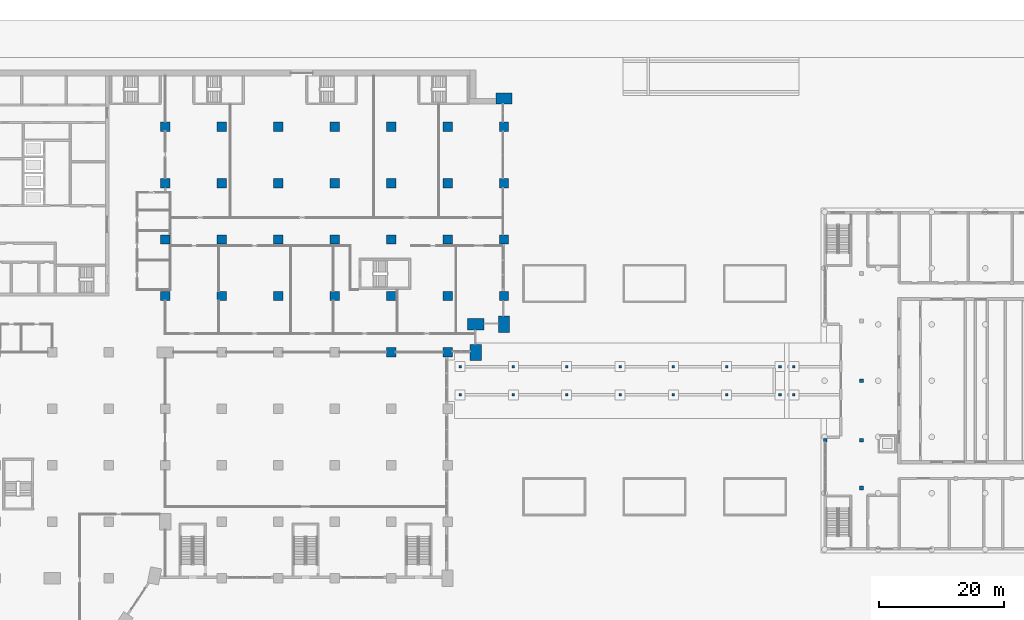
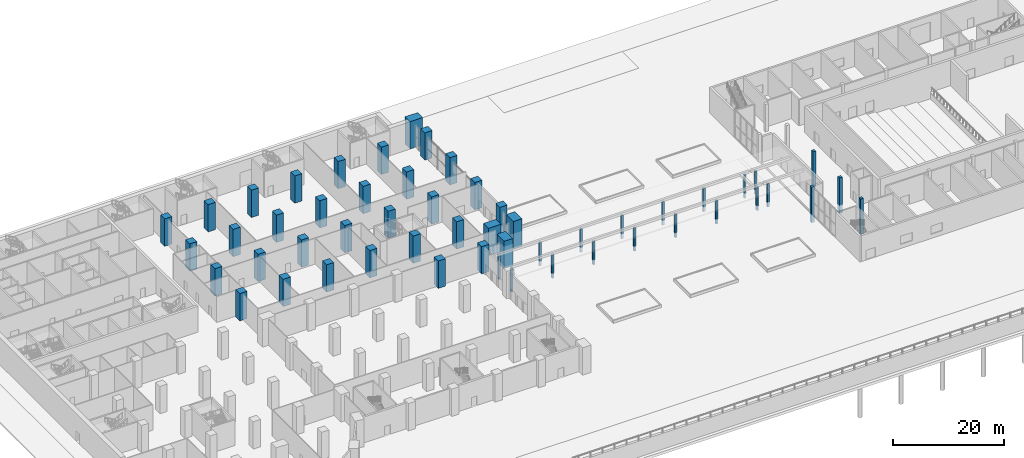
# One storey, part 2 of 47: 54 columns.
"""IFC4 building model written with IfcOpenShell, lengths in metres."""

import ifcopenshell
import ifcopenshell.guid

model = None  # the IFC model being written
_history = None  # IfcOwnerHistory: only IFC2X3 demands one
_inside = {}  # id of a spatial element -> (the spatial element, [elements in it])
_under = {}  # id of a project, library or spatial element -> (it, [spatial elements below it])
_declared = {}  # id of a project -> (the project, [libraries it declares])
_typed = {}  # id of a type object -> (the type object, [elements of that type])
_made_of = {}  # id of a material, layer set ... -> (it, [elements and type objects made of it])


def new_model(schema):
    """Start an empty IFC model of exactly this schema.

    Asked for "IFC4X3", IfcOpenShell would pick the latest addendum, in which some entities
    have other attributes; the version numbers below select the first issue.
    IFC2X3 requires an IfcOwnerHistory on every rooted entity: one is made here for all.
    """
    global model, _history
    if schema == "IFC4X3":
        model = ifcopenshell.file(schema_version=(4, 3, 0, 0))
    else:
        model = ifcopenshell.file(schema=schema)
    _inside.clear()
    _under.clear()
    _declared.clear()
    _typed.clear()
    _made_of.clear()
    _history = None
    if model.schema == "IFC2X3":
        org = make("IfcOrganization", Name="unknown")
        user = make(
            "IfcPersonAndOrganization",
            ThePerson=make("IfcPerson", FamilyName="unknown"),
            TheOrganization=org,
        )
        app = make(
            "IfcApplication",
            ApplicationDeveloper=org,
            Version="unknown",
            ApplicationFullName="unknown",
            ApplicationIdentifier="unknown",
        )
        _history = make(
            "IfcOwnerHistory",
            OwningUser=user,
            OwningApplication=app,
            ChangeAction="ADDED",
            CreationDate=0,
        )
    return model


def make(cls, **values):
    """One entity of the class cls with the attributes given. An attribute that is None is left unset."""
    return model.create_entity(
        cls, **{name: value for name, value in values.items() if value is not None}
    )


def rooted(cls, **values):
    """An entity with a GlobalId (a new one), such as an element, a storey or a relation."""
    return make(cls, GlobalId=ifcopenshell.guid.new(), OwnerHistory=_history, **values)


def si_unit(unit_type, name, prefix=None):
    """IfcSIUnit, for example si_unit("LENGTHUNIT", "METRE", prefix="MILLI")."""
    return make("IfcSIUnit", UnitType=unit_type, Prefix=prefix, Name=name)


def assignment(units):
    """IfcUnitAssignment: the units of a project."""
    return None if units is None else make("IfcUnitAssignment", Units=units)


def point(xyz):
    """IfcCartesianPoint."""
    return None if xyz is None else make("IfcCartesianPoint", Coordinates=xyz)


def direction(xyz):
    """IfcDirection."""
    return None if xyz is None else make("IfcDirection", DirectionRatios=xyz)


def frame(location, z_axis=None, x_axis=None):
    """IfcAxis2Placement3D, a coordinate frame: its origin and axes. An axis left out is left unset."""
    return make(
        "IfcAxis2Placement3D",
        Location=point(location),
        Axis=direction(z_axis),
        RefDirection=direction(x_axis),
    )


def frame_2d(location, x_axis=None):
    """IfcAxis2Placement2D, a coordinate frame in the plane: its origin and x axis."""
    return make(
        "IfcAxis2Placement2D", Location=point(location), RefDirection=direction(x_axis)
    )


def origin():
    """The frame at (0, 0, 0) with its axes left unset."""
    return frame((0.0, 0.0, 0.0))


def origin_2d():
    """The frame at (0, 0) in the plane with its x axis left unset."""
    return frame_2d((0.0, 0.0))


def place(relative_to, where):
    """IfcLocalPlacement: puts the frame where relative to a parent placement (None: the world)."""
    return make(
        "IfcLocalPlacement", PlacementRelTo=relative_to, RelativePlacement=where
    )


def context(
    kind, dimensions, precision=None, world=None, true_north=None, identifier=None
):
    """IfcGeometricRepresentationContext, for example the 3D "Model" context."""
    return make(
        "IfcGeometricRepresentationContext",
        ContextIdentifier=identifier,
        ContextType=kind,
        CoordinateSpaceDimension=dimensions,
        Precision=precision,
        WorldCoordinateSystem=world,
        TrueNorth=true_north,
    )


def subcontext(parent, identifier, kind, view, scale=None):
    """IfcGeometricRepresentationSubContext, for example "Body" below "Model"."""
    return make(
        "IfcGeometricRepresentationSubContext",
        ContextIdentifier=identifier,
        ContextType=kind,
        ParentContext=parent,
        TargetScale=scale,
        TargetView=view,
    )


def project(units=None, contexts=None):
    """IfcProject with its units and contexts."""
    return rooted(
        "IfcProject",
        Name="project",
        RepresentationContexts=contexts,
        UnitsInContext=assignment(units),
    )


def spatial(cls, under=None, at=None, **own):
    """A site, building, storey or space (cls), placed at a placement, below another one or the project."""
    s = rooted(cls, ObjectPlacement=at, **own)
    if under is not None:
        _under.setdefault(under.id(), (under, []))[1].append(s)
    return s


def profile(cls, at=None, kind="AREA", **sizes):
    """A parametric profile (cls). Its sizes go by their IFC names, for example OverallWidth=200.0."""
    return make(cls, ProfileType=kind, Position=at, **sizes)


def rectangle(**sizes):
    """IfcRectangleProfileDef."""
    return profile("IfcRectangleProfileDef", **sizes)


def extrude(swept, where, along, depth):
    """IfcExtrudedAreaSolid: the profile swept, set in the frame where, extruded along a direction by depth."""
    return make(
        "IfcExtrudedAreaSolid",
        SweptArea=swept,
        Position=where,
        ExtrudedDirection=direction(along),
        Depth=depth,
    )


def shape(context_of_items, identifier, shape_type, items):
    """IfcShapeRepresentation: the items that make up one representation, for example the "Body"."""
    return make(
        "IfcShapeRepresentation",
        ContextOfItems=context_of_items,
        RepresentationIdentifier=identifier,
        RepresentationType=shape_type,
        Items=items,
    )


def material(Name=None, Category=None):
    """IfcMaterial."""
    return make("IfcMaterial", Name=Name, Category=Category)


def material_profile(
    of_material, cross_section, Name=None, Category=None, Priority=None
):
    """IfcMaterialProfile: a cross section and its material."""
    return make(
        "IfcMaterialProfile",
        Name=Name,
        Material=of_material,
        Profile=cross_section,
        Priority=Priority,
        Category=Category,
    )


def profile_set(profiles, Name=None, composite=None):
    """IfcMaterialProfileSet."""
    return make(
        "IfcMaterialProfileSet",
        Name=Name,
        MaterialProfiles=profiles,
        CompositeProfile=composite,
    )


def made_of(thing, what):
    """Note that an element or type object is made of a material, layer set ...; save() writes the relation."""
    if what is not None:
        _made_of.setdefault(what.id(), (what, []))[1].append(thing)
    return thing


def type_object(cls, material=None, **own):
    """A type object (cls), such as IfcWallType, which elements share."""
    return made_of(rooted(cls, **own), material)


def element(
    cls,
    number,
    at=None,
    inside=None,
    cuts=None,
    type_object=None,
    material=None,
    context=None,
    identifier="Body",
    shape_type=None,
    held_by="IfcProductDefinitionShape",
    body=None,
    shapes=None,
    **own,
):
    """One element of the class cls, such as IfcWall. Its Tag is "e" and its number.

    at: its placement. inside: the storey or other place that contains it. cuts: it is an
    opening in that element (IfcRelVoidsElement). A single representation is given by context,
    identifier, shape_type and body (its items); several are given by shapes. held_by: the class
    of the entity that holds the representations. save() writes the other relations.
    """
    e = rooted(cls, Tag="e%d" % number, ObjectPlacement=at, **own)
    if body is not None:
        shapes = [shape(context, identifier, shape_type, body)]
    if shapes is not None:
        e.Representation = make(held_by, Representations=shapes)
    if inside is not None:
        _inside.setdefault(inside.id(), (inside, []))[1].append(e)
    if cuts is not None:
        rooted(
            "IfcRelVoidsElement", RelatingBuildingElement=cuts, RelatedOpeningElement=e
        )
    if type_object is not None:
        _typed.setdefault(type_object.id(), (type_object, []))[1].append(e)
    return made_of(e, material)


def aggregate(whole, parts):
    """IfcRelAggregates: a whole, such as a stair, and the parts it consists of."""
    return rooted("IfcRelAggregates", RelatingObject=whole, RelatedObjects=parts)


def save(model, path):
    """Write the relations noted so far, then the file.

    IfcRelAggregates (storeys below a building ...), IfcRelContainedInSpatialStructure (elements
    in a storey), IfcRelDefinesByType, IfcRelAssociatesMaterial and IfcRelDeclares: one each for
    every whole, place, type object, material and project.
    """
    for whole, parts in _under.values():
        aggregate(whole, parts)
    for where, things in _inside.values():
        rooted(
            "IfcRelContainedInSpatialStructure",
            RelatedElements=things,
            RelatingStructure=where,
        )
    for kind, things in _typed.values():
        rooted("IfcRelDefinesByType", RelatedObjects=things, RelatingType=kind)
    for what, things in _made_of.values():
        rooted("IfcRelAssociatesMaterial", RelatedObjects=things, RelatingMaterial=what)
    for by, libraries in _declared.values():
        rooted("IfcRelDeclares", RelatingContext=by, RelatedDefinitions=libraries)
    model.write(path)


model = new_model("IFC4")

# Units and contexts
model_context = context("Model", 3, precision=1e-05, world=origin(), true_north=direction((0.0, 1.0)))
body_context = subcontext(model_context, "Body", "Model", "MODEL_VIEW")
ifc_project = project(units=[si_unit("LENGTHUNIT", "METRE"), si_unit("AREAUNIT", "SQUARE_METRE"), si_unit("VOLUMEUNIT", "CUBIC_METRE"), si_unit("PLANEANGLEUNIT", "RADIAN"), si_unit("MASSUNIT", "GRAM", prefix="KILO")], contexts=[model_context])

# Site, building, storey
site_placement = place(None, origin())
site = spatial("IfcSite", under=ifc_project, at=site_placement, CompositionType="ELEMENT")
building_placement = place(site_placement, origin())
building = spatial("IfcBuilding", under=site, at=building_placement, Name="Hunhe Ridgeline Campus", CompositionType="ELEMENT")
storey_placement = place(building_placement, origin())
storey = spatial("IfcBuildingStorey", under=building, at=storey_placement, Name="L00", CompositionType="ELEMENT", Elevation=0.0)

# Columns
ifc_material_1 = material(Name="Concrete C40", Category="concrete")
ifc_material_profile_1 = material_profile(ifc_material_1, rectangle(XDim=0.39990234375, YDim=0.39990234375, at=origin_2d()))
ifc_profile_set_1 = profile_set([ifc_material_profile_1], Name="Concrete C40")
column_type_1 = type_object("IfcColumnType", Name="Canopy RC column 400x400 C40", PredefinedType="COLUMN", material=ifc_profile_set_1)
for number, where, z_axis, x_axis, name in (
    (1, (92.0, 47.25, -1.10009765625), (0.0, 0.0, 1.0), (1.0, 0.0, 0.0), "Canopy column 1"),
    (2, (92.0, 51.75, -1.10009765625), (0.0, 0.0, 1.0), (1.0, 0.0, 0.0), "Canopy column 2"),
    (3, (100.5, 47.25, -1.10009765625), (0.0, 0.0, 1.0), (1.0, 0.0, 0.0), "Canopy column 3"),
    (4, (100.5, 51.75, -1.10009765625), (0.0, 0.0, 1.0), (1.0, 0.0, 0.0), "Canopy column 4"),
    (5, (109.0, 47.25, -1.10009765625), (0.0, 0.0, 1.0), (1.0, 0.0, 0.0), "Canopy column 5"),
    (6, (109.0, 51.75, -1.10009765625), (0.0, 0.0, 1.0), (1.0, 0.0, 0.0), "Canopy column 6"),
    (7, (117.5, 47.25, -1.10009765625), (0.0, 0.0, 1.0), (1.0, 0.0, 0.0), "Canopy column 7"),
    (8, (117.5, 51.75, -1.10009765625), (0.0, 0.0, 1.0), (1.0, 0.0, 0.0), "Canopy column 8"),
    (9, (126.0, 47.25, -1.10009765625), (0.0, 0.0, 1.0), (1.0, 0.0, 0.0), "Canopy column 9"),
    (10, (126.0, 51.75, -1.10009765625), (0.0, 0.0, 1.0), (1.0, 0.0, 0.0), "Canopy column 10"),
    (11, (134.5, 47.25, -1.10009765625), (0.0, 0.0, 1.0), (1.0, 0.0, 0.0), "Canopy column 11"),
    (12, (134.5, 51.75, -1.10009765625), (0.0, 0.0, 1.0), (1.0, 0.0, 0.0), "Canopy column 12"),
    (13, (143.0, 47.25, -1.10009765625), (0.0, 0.0, 1.0), (1.0, 0.0, 0.0), "Canopy column 13"),
    (14, (143.0, 51.75, -1.10009765625), (0.0, 0.0, 1.0), (1.0, 0.0, 0.0), "Canopy column 14"),
    (15, (145.199951171875, 47.25, -1.10009765625), (0.0, 0.0, 1.0), (1.0, 0.0, 0.0), "Canopy column 15"),
    (16, (145.199951171875, 51.75, -1.10009765625), (0.0, 0.0, 1.0), (1.0, 0.0, 0.0), "Canopy column 16"),
):
    element("IfcColumn", number, at=place(storey_placement, frame(where, z_axis=z_axis, x_axis=x_axis)), inside=storey, type_object=column_type_1, Name=name, PredefinedType="COLUMN", context=body_context, shape_type="SweptSolid", body=[
        extrude(rectangle(XDim=0.39990234375, YDim=0.39990234375, at=origin_2d()), origin(), (0.0, 0.0, 1.0), 5.150146484375),
    ])
ifc_material_2 = material(Name="Concrete C50", Category="concrete")
ifc_material_profile_2 = material_profile(ifc_material_2, rectangle(XDim=0.60009765625, YDim=0.60009765625, at=origin_2d()))
ifc_profile_set_2 = profile_set([ifc_material_profile_2], Name="Concrete C50")
column_type_2 = type_object("IfcColumnType", Name="Hall RC column 600x600 C50", PredefinedType="COLUMN", material=ifc_profile_set_2)
for number, where, z_axis, x_axis, name in (
    (17, (156.0, 32.39990234375, -1.800048828125), (0.0, 0.0, 1.0), (1.0, 0.0, 0.0), "Hall column HC-G1"),
    (18, (156.0, 40.0, -1.800048828125), (0.0, 0.0, 1.0), (1.0, 0.0, 0.0), "Hall column HC-G2"),
    (19, (156.0, 49.5, -1.800048828125), (0.0, 0.0, 1.0), (1.0, 0.0, 0.0), "Hall column HC-G3"),
    (20, (150.199951171875, 40.0, -1.800048828125), (0.0, 0.0, 1.0), (1.0, 0.0, 0.0), "Hall column HC-W1"),
):
    element("IfcColumn", number, at=place(storey_placement, frame(where, z_axis=z_axis, x_axis=x_axis)), inside=storey, type_object=column_type_2, Name=name, PredefinedType="COLUMN", context=body_context, shape_type="SweptSolid", body=[
        extrude(rectangle(XDim=0.60009765625, YDim=0.60009765625, at=origin_2d()), origin(), (0.0, 0.0, 1.0), 7.800048828125),
    ])
ifc_material_3 = material(Name="Concrete C80", Category="concrete")
ifc_material_profile_3 = material_profile(ifc_material_3, rectangle(XDim=2.60009765625, YDim=1.800048828125, at=origin_2d()))
ifc_profile_set_3 = profile_set([ifc_material_profile_3], Name="Concrete C80")
column_type_3 = type_object("IfcColumnType", Name="Megacolumn 2600x1800 Concrete C80", PredefinedType="COLUMN", material=ifc_profile_set_3)
for number, where, z_axis, x_axis, name in (
    (21, (94.5, 54.0, 0.0), (0.0, 0.0, 1.0), (0.0, 1.0, 0.0), "Column C1 R32 L00"),
    (22, (94.5, 58.5, 0.0), (0.0, 0.0, 1.0), (1.0, 0.0, 0.0), "Column C1 R39 L00"),
    (23, (99.0, 58.5, 0.0), (0.0, 0.0, 1.0), (0.0, 1.0, 0.0), "Column C1 R40 L00"),
    (24, (99.0, 94.5, 0.0), (0.0, 0.0, 1.0), (1.0, 0.0, 0.0), "Column C1 R44 L00"),
):
    element("IfcColumn", number, at=place(storey_placement, frame(where, z_axis=z_axis, x_axis=x_axis)), inside=storey, type_object=column_type_3, Name=name, PredefinedType="COLUMN", context=body_context, shape_type="SweptSolid", body=[
        extrude(rectangle(XDim=2.60009765625, YDim=1.800048828125, at=origin_2d()), origin(), (0.0, 0.0, 1.0), 6.0),
    ])
ifc_material_profile_4 = material_profile(ifc_material_3, rectangle(XDim=1.5, YDim=1.5, at=origin_2d()))
ifc_profile_set_4 = profile_set([ifc_material_profile_4], Name="Concrete C80")
column_type_4 = type_object("IfcColumnType", Name="RC column 1500x1500 Concrete C80", PredefinedType="COLUMN", material=ifc_profile_set_4)
for number, where, z_axis, x_axis, name in (
    (25, (81.0, 54.0, 0.0), (0.0, 0.0, 1.0), (1.0, 0.0, 0.0), "Column C2 G10 L00"),
    (26, (90.0, 54.0, 0.0), (0.0, 0.0, 1.0), (1.0, 0.0, 0.0), "Column C2 G11 L00"),
    (27, (99.0, 63.0, 0.0), (0.0, 0.0, 1.0), (1.0, 0.0, 0.0), "Column C2 H12 L00"),
    (28, (99.0, 72.0, 0.0), (0.0, 0.0, 1.0), (1.0, 0.0, 0.0), "Column C2 I12 L00"),
    (29, (99.0, 81.0, 0.0), (0.0, 0.0, 1.0), (1.0, 0.0, 0.0), "Column C2 J12 L00"),
    (30, (99.0, 90.0, 0.0), (0.0, 0.0, 1.0), (1.0, 0.0, 0.0), "Column C2 K12 L00"),
    (31, (45.0, 63.0, 0.0), (0.0, 0.0, 1.0), (1.0, 0.0, 0.0), "Column C2 H6 L00"),
    (32, (45.0, 72.0, 0.0), (0.0, 0.0, 1.0), (1.0, 0.0, 0.0), "Column C2 I6 L00"),
    (33, (45.0, 81.0, 0.0), (0.0, 0.0, 1.0), (1.0, 0.0, 0.0), "Column C2 J6 L00"),
    (34, (45.0, 90.0, 0.0), (0.0, 0.0, 1.0), (1.0, 0.0, 0.0), "Column C2 K6 L00"),
    (35, (54.0, 63.0, 0.0), (0.0, 0.0, 1.0), (1.0, 0.0, 0.0), "Column C2 H7 L00"),
    (36, (54.0, 72.0, 0.0), (0.0, 0.0, 1.0), (1.0, 0.0, 0.0), "Column C2 I7 L00"),
    (37, (54.0, 81.0, 0.0), (0.0, 0.0, 1.0), (1.0, 0.0, 0.0), "Column C2 J7 L00"),
    (38, (54.0, 90.0, 0.0), (0.0, 0.0, 1.0), (1.0, 0.0, 0.0), "Column C2 K7 L00"),
    (39, (63.0, 63.0, 0.0), (0.0, 0.0, 1.0), (1.0, 0.0, 0.0), "Column C2 H8 L00"),
    (40, (63.0, 72.0, 0.0), (0.0, 0.0, 1.0), (1.0, 0.0, 0.0), "Column C2 I8 L00"),
    (41, (63.0, 81.0, 0.0), (0.0, 0.0, 1.0), (1.0, 0.0, 0.0), "Column C2 J8 L00"),
    (42, (63.0, 90.0, 0.0), (0.0, 0.0, 1.0), (1.0, 0.0, 0.0), "Column C2 K8 L00"),
    (43, (72.0, 63.0, 0.0), (0.0, 0.0, 1.0), (1.0, 0.0, 0.0), "Column C2 H9 L00"),
    (44, (72.0, 72.0, 0.0), (0.0, 0.0, 1.0), (1.0, 0.0, 0.0), "Column C2 I9 L00"),
    (45, (72.0, 81.0, 0.0), (0.0, 0.0, 1.0), (1.0, 0.0, 0.0), "Column C2 J9 L00"),
    (46, (72.0, 90.0, 0.0), (0.0, 0.0, 1.0), (1.0, 0.0, 0.0), "Column C2 K9 L00"),
    (47, (81.0, 63.0, 0.0), (0.0, 0.0, 1.0), (1.0, 0.0, 0.0), "Column C2 H10 L00"),
    (48, (81.0, 72.0, 0.0), (0.0, 0.0, 1.0), (1.0, 0.0, 0.0), "Column C2 I10 L00"),
    (49, (81.0, 81.0, 0.0), (0.0, 0.0, 1.0), (1.0, 0.0, 0.0), "Column C2 J10 L00"),
    (50, (81.0, 90.0, 0.0), (0.0, 0.0, 1.0), (1.0, 0.0, 0.0), "Column C2 K10 L00"),
    (51, (90.0, 63.0, 0.0), (0.0, 0.0, 1.0), (1.0, 0.0, 0.0), "Column C2 H11 L00"),
    (52, (90.0, 72.0, 0.0), (0.0, 0.0, 1.0), (1.0, 0.0, 0.0), "Column C2 I11 L00"),
    (53, (90.0, 81.0, 0.0), (0.0, 0.0, 1.0), (1.0, 0.0, 0.0), "Column C2 J11 L00"),
    (54, (90.0, 90.0, 0.0), (0.0, 0.0, 1.0), (1.0, 0.0, 0.0), "Column C2 K11 L00"),
):
    element("IfcColumn", number, at=place(storey_placement, frame(where, z_axis=z_axis, x_axis=x_axis)), inside=storey, type_object=column_type_4, Name=name, PredefinedType="COLUMN", context=body_context, shape_type="SweptSolid", body=[
        extrude(rectangle(XDim=1.5, YDim=1.5, at=origin_2d()), origin(), (0.0, 0.0, 1.0), 6.0),
    ])

save(model, "model.ifc")
